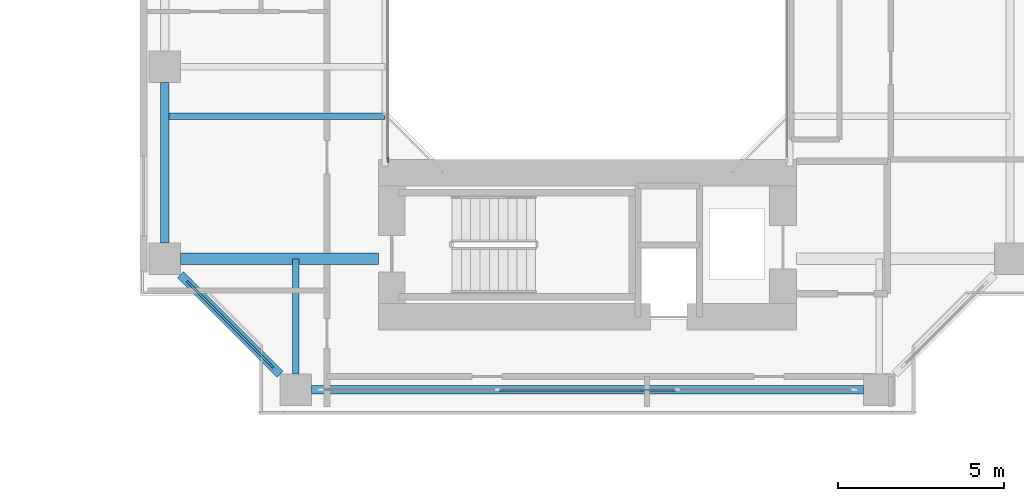
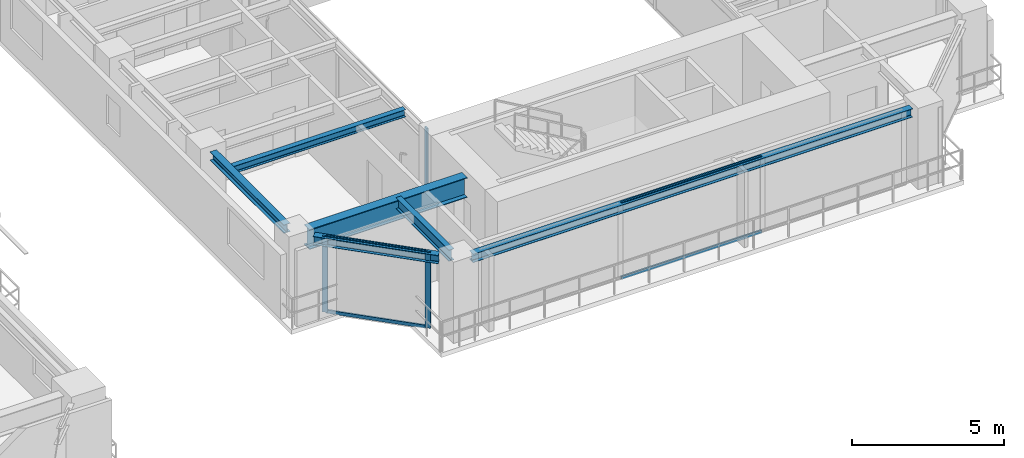
# One storey, part 6 of 24: 7 members, 6 beams, 3 elements without a shape of their own.
"""IFC4 building model written with IfcOpenShell, lengths in metres."""

from ifc_helpers import new_model, si_unit, direction, frame, origin, origin_2d, place, context, subcontext, project, spatial, rectangle, i_section, extrude, source, transform, mapped, material, layer, layer_set, material_profile, profile_set, type_object, element, aggregate, save


model = new_model("IFC4")

# Units and contexts
model_context = context("Model", 3, precision=1e-05, world=origin(), true_north=direction((0.0, 1.0)))
body_context = subcontext(model_context, "Body", "Model", "MODEL_VIEW")
ifc_project = project(units=[si_unit("LENGTHUNIT", "METRE"), si_unit("AREAUNIT", "SQUARE_METRE"), si_unit("VOLUMEUNIT", "CUBIC_METRE"), si_unit("PLANEANGLEUNIT", "RADIAN"), si_unit("MASSUNIT", "GRAM", prefix="KILO"), si_unit("THERMODYNAMICTEMPERATUREUNIT", "KELVIN"), si_unit("POWERUNIT", "WATT")], contexts=[model_context])

# Site, building, storey
site_placement = place(None, origin())
site = spatial("IfcSite", under=ifc_project, at=site_placement, CompositionType="ELEMENT")
building_placement = place(site_placement, origin())
building = spatial("IfcBuilding", under=site, at=building_placement, Name="Qiaomeng Ring Towers", CompositionType="ELEMENT")
storey_placement = place(building_placement, frame((0.0, 0.0, 42.5)))
storey = spatial("IfcBuildingStorey", under=building, at=storey_placement, Name="L11", CompositionType="ELEMENT", Elevation=42.5)

# Beams
ifc_material_1 = material(Name="Steel Q355B", Category="steel")
ifc_material_profile_1 = material_profile(ifc_material_1, i_section(OverallWidth=0.25, OverallDepth=0.340087890625, WebThickness=0.009033203125, FlangeThickness=0.013916015625, FilletRadius=0.02001953125, at=origin_2d()), Name="HM 340x250x9x14")
ifc_profile_set_1 = profile_set([ifc_material_profile_1], Name="Steel Q355B")
beam_type_1 = type_object("IfcBeamType", Name="STR-BM-HM340", PredefinedType="SPANDREL", material=ifc_profile_set_1)
shared_shape_1 = source(origin(), body_context, "Body", "SweptSolid", [
    extrude(i_section(OverallWidth=0.25, OverallDepth=0.340087890625, WebThickness=0.009033203125, FlangeThickness=0.013916015625, FilletRadius=0.02001953125, at=origin_2d()), origin(), (0.0, 0.0, 1.0), 16.65185546875),
])
beam_1_placement = place(storey_placement, frame((52.174072265625, 10.25, 2.860107421875), z_axis=(1.0, 0.0, 0.0), x_axis=(0.0, 1.0, 0.0)))
element("IfcBeam", 1, at=beam_1_placement, inside=storey, type_object=beam_type_1, Name="L11 beam STR-SP-L11-T2-S1-S2", PredefinedType="SPANDREL", context=body_context, shape_type="MappedRepresentation", body=[
    mapped(shared_shape_1, transform((0.0, 0.0, 0.0), x_axis=(1.0, 0.0, 0.0), y_axis=(0.0, 1.0, 0.0), z_axis=(0.0, 0.0, 1.0), scale=1.0)),
])
shared_shape_2 = source(origin(), body_context, "Body", "SweptSolid", [
    extrude(i_section(OverallWidth=0.25, OverallDepth=0.340087890625, WebThickness=0.009033203125, FlangeThickness=0.013916015625, FilletRadius=0.02001953125, at=origin_2d()), origin(), (0.0, 0.0, 1.0), 4.244384765625),
])
beam_2_placement = place(storey_placement, frame((48.224365234375, 13.7255859375, 2.860107421875), z_axis=(0.707106781187, -0.707106781187, 0.0), x_axis=(0.707106781187, 0.707106781187, 0.0)))
element("IfcBeam", 2, at=beam_2_placement, inside=storey, type_object=beam_type_1, Name="L11 beam STR-SP-L11-T2-W1-S1", PredefinedType="SPANDREL", context=body_context, shape_type="MappedRepresentation", body=[
    mapped(shared_shape_2, transform((0.0, 0.0, 0.0), x_axis=(1.0, 0.0, 0.0), y_axis=(0.0, 1.0, 0.0), z_axis=(0.0, 0.0, 1.0), scale=1.0)),
])
shared_shape_3 = source(origin(), body_context, "Body", "SweptSolid", [
    extrude(i_section(OverallWidth=0.25, OverallDepth=0.340087890625, WebThickness=0.009033203125, FlangeThickness=0.013916015625, FilletRadius=0.02001953125, at=origin_2d()), origin(), (0.0, 0.0, 1.0), 4.851806640625),
])
beam_3_placement = place(storey_placement, frame((47.75, 19.52587890625, 2.860107421875), z_axis=(0.0, -1.0, 0.0), x_axis=(1.0, 0.0, 0.0)))
element("IfcBeam", 3, at=beam_3_placement, inside=storey, type_object=beam_type_1, Name="L11 beam STR-SP-L11-T2-W2-W1", PredefinedType="SPANDREL", context=body_context, shape_type="MappedRepresentation", body=[
    mapped(shared_shape_3, transform((0.0, 0.0, 0.0), x_axis=(1.0, 0.0, 0.0), y_axis=(0.0, 1.0, 0.0), z_axis=(0.0, 0.0, 1.0), scale=1.0)),
])
ifc_material_2 = material(Name="Steel Q390GJC", Category="steel")
ifc_material_profile_2 = material_profile(ifc_material_2, i_section(OverallWidth=0.35009765625, OverallDepth=0.800048828125, WebThickness=0.01611328125, FlangeThickness=0.028076171875, at=origin_2d()), Name="WH 800x350x16x28")
ifc_profile_set_2 = profile_set([ifc_material_profile_2], Name="Steel Q390GJC")
beam_type_2 = type_object("IfcBeamType", Name="STR-BM-WH800", PredefinedType="BEAM", material=ifc_profile_set_2)
shared_shape_4 = source(origin(), body_context, "Body", "SweptSolid", [
    extrude(i_section(OverallWidth=0.35009765625, OverallDepth=0.800048828125, WebThickness=0.01611328125, FlangeThickness=0.028076171875, at=origin_2d()), origin(), (0.0, 0.0, 1.0), 5.975830078125),
])
beam_4_placement = place(storey_placement, frame((48.22412109375, 14.199951171875, 2.6298828125), z_axis=(1.0, 0.0, 0.0), x_axis=(0.0, 1.0, 0.0)))
element("IfcBeam", 4, at=beam_4_placement, inside=storey, type_object=beam_type_2, Name="L11 beam STR-BM-L11-T2-RAD-W1", PredefinedType="BEAM", context=body_context, shape_type="MappedRepresentation", body=[
    mapped(shared_shape_4, transform((0.0, 0.0, 0.0), x_axis=(1.0, 0.0, 0.0), y_axis=(0.0, 1.0, 0.0), z_axis=(0.0, 0.0, 1.0), scale=1.0)),
])
ifc_material_profile_3 = material_profile(ifc_material_1, i_section(OverallWidth=0.199951171875, OverallDepth=0.449951171875, WebThickness=0.009033203125, FlangeThickness=0.013916015625, FilletRadius=0.01806640625, at=origin_2d()), Name="HN 450x200x9x14")
ifc_profile_set_3 = profile_set([ifc_material_profile_3], Name="Steel Q355B")
beam_type_3 = type_object("IfcBeamType", Name="STR-BM-HN450", PredefinedType="SPANDREL", material=ifc_profile_set_3)
shared_shape_5 = source(origin(), body_context, "Body", "SweptSolid", [
    extrude(i_section(OverallWidth=0.199951171875, OverallDepth=0.449951171875, WebThickness=0.009033203125, FlangeThickness=0.013916015625, FilletRadius=0.01806640625, at=origin_2d()), origin(), (0.0, 0.0, 1.0), 3.475830078125),
])
beam_5_placement = place(storey_placement, frame((51.699951171875, 10.72412109375, 2.804931640625), z_axis=(0.0, 1.0, 0.0), x_axis=(-1.0, 0.0, 0.0)))
element("IfcBeam", 5, at=beam_5_placement, inside=storey, type_object=beam_type_3, Name="L11 beam STR-BM-L11-T2-RAD-S1", PredefinedType="SPANDREL", context=body_context, shape_type="MappedRepresentation", body=[
    mapped(shared_shape_5, transform((0.0, 0.0, 0.0), x_axis=(1.0, 0.0, 0.0), y_axis=(0.0, 1.0, 0.0), z_axis=(0.0, 0.0, 1.0), scale=1.0)),
])
ifc_material_profile_4 = material_profile(ifc_material_1, i_section(OverallWidth=0.199951171875, OverallDepth=0.2939453125, WebThickness=0.008056640625, FlangeThickness=0.011962890625, FilletRadius=0.01806640625, at=origin_2d()), Name="HM 294x200x8x12")
ifc_profile_set_4 = profile_set([ifc_material_profile_4], Name="Steel Q355B")
beam_type_4 = type_object("IfcBeamType", Name="STR-BM-HM294", PredefinedType="JOIST", material=ifc_profile_set_4)
shared_shape_6 = source(origin(), body_context, "Body", "SweptSolid", [
    extrude(i_section(OverallWidth=0.199951171875, OverallDepth=0.2939453125, WebThickness=0.008056640625, FlangeThickness=0.011962890625, FilletRadius=0.01806640625, at=origin_2d()), origin(), (0.0, 0.0, 1.0), 6.64990234375),
])
beam_6_placement = place(storey_placement, frame((47.75, 18.5, 2.883056640625), z_axis=(1.0, 0.0, 0.0), x_axis=(0.0, 1.0, 0.0)))
element("IfcBeam", 6, at=beam_6_placement, inside=storey, type_object=beam_type_4, Name="L11 beam STR-JST-L11-T2W-1", PredefinedType="JOIST", context=body_context, shape_type="MappedRepresentation", body=[
    mapped(shared_shape_6, transform((0.0, 0.0, 0.0), x_axis=(1.0, 0.0, 0.0), y_axis=(0.0, 1.0, 0.0), z_axis=(0.0, 0.0, 1.0), scale=1.0)),
])

# Curtain wall, members
ifc_material_3 = material(Name="Fluorocarbon dark-grey aluminium", Category="aluminium")
ifc_layer_1 = layer(ifc_material_3, 0.14990234375, Name="Fluorocarbon dark-grey aluminium")
ifc_layer_set_1 = layer_set([ifc_layer_1], Name="Fluorocarbon dark-grey aluminium")
curtain_wall_type_1 = type_object("IfcCurtainWallType", Name="ARC-CW-5", PredefinedType="NOTDEFINED", material=ifc_layer_set_1)
curtain_wall_1_placement = place(storey_placement, origin())
curtain_wall_1 = element("IfcCurtainWall", 7, at=curtain_wall_1_placement, inside=storey, type_object=curtain_wall_type_1, Name="L11 Curtain Wall CW5", PredefinedType="NOTDEFINED")
ifc_material_profile_5 = material_profile(ifc_material_3, rectangle(XDim=0.06494140625, YDim=0.1298828125, at=origin_2d()), Name="ALU TRAN 65x130")
ifc_profile_set_5 = profile_set([ifc_material_profile_5], Name="Fluorocarbon dark-grey aluminium")
member_type_1 = type_object("IfcMemberType", Name="ARC-CWT-120", PredefinedType="USERDEFINED", material=ifc_profile_set_5)
shared_shape_7 = source(origin(), body_context, "Body", "SweptSolid", [
    extrude(rectangle(XDim=0.06494140625, YDim=0.1298828125, at=origin_2d()), origin(), (0.0, 0.0, 1.0), 5.31982421875),
])
member_1_placement = place(storey_placement, frame((57.840087890625, 10.25, 0.032470703125), z_axis=(1.0, 0.0, 0.0), x_axis=(0.0, 1.0, 0.0)))
member_1 = element("IfcMember", 8, at=member_1_placement, type_object=member_type_1, Name="CW5 transom 2.1", ObjectType="TRANSOM", PredefinedType="USERDEFINED", context=body_context, shape_type="MappedRepresentation", body=[
    mapped(shared_shape_7, transform((0.0, 0.0, 0.0), x_axis=(1.0, 0.0, 0.0), y_axis=(0.0, 1.0, 0.0), z_axis=(0.0, 0.0, 1.0), scale=1.0)),
])
member_2_placement = place(storey_placement, frame((57.840087890625, 10.25, 2.99755859375), z_axis=(1.0, 0.0, 0.0), x_axis=(0.0, 1.0, 0.0)))
member_2 = element("IfcMember", 9, at=member_2_placement, type_object=member_type_1, Name="CW5 transom 2.2", ObjectType="TRANSOM", PredefinedType="USERDEFINED", context=body_context, shape_type="MappedRepresentation", body=[
    mapped(shared_shape_7, transform((0.0, 0.0, 0.0), x_axis=(1.0, 0.0, 0.0), y_axis=(0.0, 1.0, 0.0), z_axis=(0.0, 0.0, 1.0), scale=1.0)),
])
aggregate(curtain_wall_1, [member_1, member_2])

curtain_wall_2_placement = place(storey_placement, origin())
curtain_wall_2 = element("IfcCurtainWall", 10, at=curtain_wall_2_placement, inside=storey, type_object=curtain_wall_type_1, Name="L11 Curtain Wall CW5", PredefinedType="NOTDEFINED")
shared_shape_8 = source(origin(), body_context, "Body", "SweptSolid", [
    extrude(rectangle(XDim=0.06494140625, YDim=0.1298828125, at=origin_2d()), origin(), (0.0, 0.0, 1.0), 3.424072265625),
])
member_3_placement = place(storey_placement, frame((48.514404296875, 13.435546875, 0.032470703125), z_axis=(0.707106781187, -0.707106781187, 0.0), x_axis=(0.707106781187, 0.707106781187, 0.0)))
member_3 = element("IfcMember", 11, at=member_3_placement, type_object=member_type_1, Name="CW5 transom 1.1", ObjectType="TRANSOM", PredefinedType="USERDEFINED", context=body_context, shape_type="MappedRepresentation", body=[
    mapped(shared_shape_8, transform((0.0, 0.0, 0.0), x_axis=(1.0, 0.0, 0.0), y_axis=(0.0, 1.0, 0.0), z_axis=(0.0, 0.0, 1.0), scale=1.0)),
])
member_4_placement = place(storey_placement, frame((48.514404296875, 13.435546875, 2.99755859375), z_axis=(0.707106781187, -0.707106781187, 0.0), x_axis=(0.707106781187, 0.707106781187, 0.0)))
member_4 = element("IfcMember", 12, at=member_4_placement, type_object=member_type_1, Name="CW5 transom 1.2", ObjectType="TRANSOM", PredefinedType="USERDEFINED", context=body_context, shape_type="MappedRepresentation", body=[
    mapped(shared_shape_8, transform((0.0, 0.0, 0.0), x_axis=(1.0, 0.0, 0.0), y_axis=(0.0, 1.0, 0.0), z_axis=(0.0, 0.0, 1.0), scale=1.0)),
])

# Curtain wall, member
ifc_layer_2 = layer(ifc_material_3, 0.139892578125, Name="Fluorocarbon dark-grey aluminium")
ifc_layer_set_2 = layer_set([ifc_layer_2], Name="Fluorocarbon dark-grey aluminium")
curtain_wall_type_2 = type_object("IfcCurtainWallType", Name="ARC-CW-4", PredefinedType="NOTDEFINED", material=ifc_layer_set_2)
curtain_wall_3_placement = place(storey_placement, origin())
curtain_wall_3 = element("IfcCurtainWall", 13, at=curtain_wall_3_placement, inside=storey, type_object=curtain_wall_type_2, Name="L11 Curtain Wall CW4", PredefinedType="NOTDEFINED")
ifc_material_profile_6 = material_profile(ifc_material_3, rectangle(XDim=0.06494140625, YDim=0.159912109375, at=origin_2d()), Name="ALU MULL 65x160")
ifc_profile_set_6 = profile_set([ifc_material_profile_6], Name="Fluorocarbon dark-grey aluminium")
member_type_2 = type_object("IfcMemberType", Name="ARC-CWM-140", PredefinedType="MULLION", material=ifc_profile_set_6)
shared_shape_9 = source(origin(), body_context, "Body", "SweptSolid", [
    extrude(rectangle(XDim=0.06494140625, YDim=0.159912109375, at=origin_2d()), origin(), (0.0, 0.0, 1.0), 3.030029296875),
])
member_5_placement = place(storey_placement, frame((54.47998046875, 17.1826171875, 0.0), z_axis=(0.0, 0.0, 1.0), x_axis=(-1.0, 0.0, 0.0)))
member_5 = element("IfcMember", 14, at=member_5_placement, type_object=member_type_2, Name="CW4 mullion 1", PredefinedType="MULLION", context=body_context, shape_type="MappedRepresentation", body=[
    mapped(shared_shape_9, transform((0.0, 0.0, 0.0), x_axis=(1.0, 0.0, 0.0), y_axis=(0.0, 1.0, 0.0), z_axis=(0.0, 0.0, 1.0), scale=1.0)),
])
aggregate(curtain_wall_3, [member_5])

# Member
ifc_material_profile_7 = material_profile(ifc_material_3, rectangle(XDim=0.070068359375, YDim=0.179931640625, at=origin_2d()), Name="ALU MULL 70x180")
ifc_profile_set_7 = profile_set([ifc_material_profile_7], Name="Fluorocarbon dark-grey aluminium")
member_type_3 = type_object("IfcMemberType", Name="ARC-CWM-160", PredefinedType="MULLION", material=ifc_profile_set_7)
shared_shape_10 = source(origin(), body_context, "Body", "SweptSolid", [
    extrude(rectangle(XDim=0.070068359375, YDim=0.179931640625, at=origin_2d()), origin(), (0.0, 0.0, 1.0), 3.030029296875),
])
member_6_placement = place(storey_placement, frame((48.48974609375, 13.460205078125, 0.0), z_axis=(0.0, 0.0, 1.0), x_axis=(0.707106781187, 0.707106781187, 0.0)))
member_6 = element("IfcMember", 15, at=member_6_placement, type_object=member_type_3, Name="CW5 mullion 1", PredefinedType="MULLION", context=body_context, shape_type="MappedRepresentation", body=[
    mapped(shared_shape_10, transform((0.0, 0.0, 0.0), x_axis=(1.0, 0.0, 0.0), y_axis=(0.0, 1.0, 0.0), z_axis=(0.0, 0.0, 1.0), scale=1.0)),
])

member_7_placement = place(storey_placement, frame((50.960205078125, 10.98974609375, 0.0), z_axis=(0.0, 0.0, 1.0), x_axis=(0.707106781187, 0.707106781187, 0.0)))
member_7 = element("IfcMember", 16, at=member_7_placement, type_object=member_type_3, Name="CW5 mullion 2", PredefinedType="MULLION", context=body_context, shape_type="MappedRepresentation", body=[
    mapped(shared_shape_10, transform((0.0, 0.0, 0.0), x_axis=(1.0, 0.0, 0.0), y_axis=(0.0, 1.0, 0.0), z_axis=(0.0, 0.0, 1.0), scale=1.0)),
])

aggregate(curtain_wall_2, [member_6, member_7, member_3, member_4])

save(model, "model.ifc")
